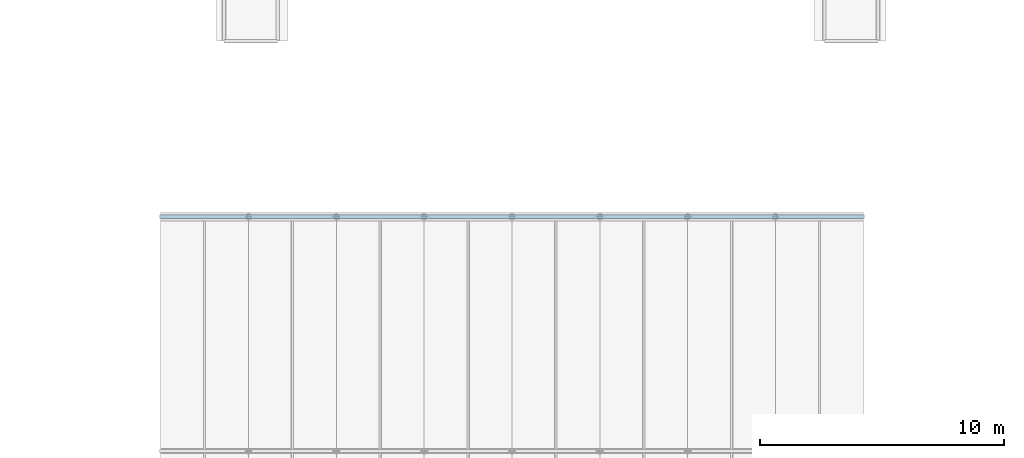
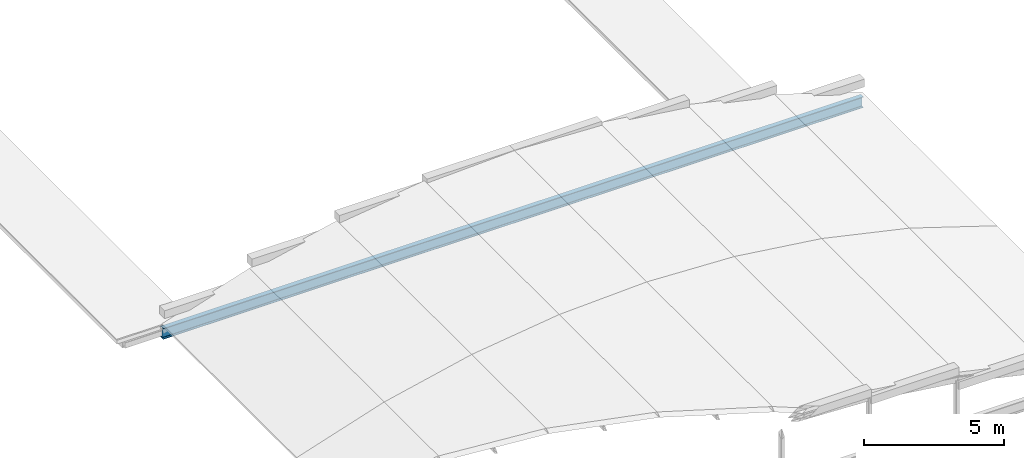
# One storey, part 14 of 70: 1 beam.
"""IFC4 building model written with IfcOpenShell, lengths in metres."""

from ifc_helpers import new_model, si_unit, direction, frame, origin, origin_2d, place, context, subcontext, project, spatial, i_section, extrude, material, material_profile, profile_set, type_object, element, save


model = new_model("IFC4")

# Units and contexts
model_context = context("Model", 3, precision=1e-05, world=origin(), true_north=direction((0.0, 1.0)))
body_context = subcontext(model_context, "Body", "Model", "MODEL_VIEW")
ifc_project = project(units=[si_unit("LENGTHUNIT", "METRE"), si_unit("AREAUNIT", "SQUARE_METRE"), si_unit("VOLUMEUNIT", "CUBIC_METRE"), si_unit("PLANEANGLEUNIT", "RADIAN"), si_unit("MASSUNIT", "GRAM", prefix="KILO")], contexts=[model_context])

# Site, building, storey
site_placement = place(None, origin())
site = spatial("IfcSite", under=ifc_project, at=site_placement, CompositionType="ELEMENT")
building_placement = place(site_placement, origin())
building = spatial("IfcBuilding", under=site, at=building_placement, Name="Mavantir Sound Aquarium", CompositionType="ELEMENT")
storey_placement = place(building_placement, frame((0.0, 0.0, 27.0)))
storey = spatial("IfcBuildingStorey", under=building, at=storey_placement, Name="RF", CompositionType="ELEMENT", Elevation=27.0)

# Beam
ifc_material = material(Name="Structural Steel ASTM A992 Gr50", Category="steel")
ifc_material_profile = material_profile(ifc_material, i_section(OverallWidth=0.194091796875, OverallDepth=0.468994140625, WebThickness=0.0126953125, FlangeThickness=0.0205078125, FilletRadius=0.01611328125, at=origin_2d()), Name="W460X106")
ifc_profile_set = profile_set([ifc_material_profile], Name="Structural Steel ASTM A992 Gr50")
beam_type = type_object("IfcBeamType", Name="BM-W460X106-E", PredefinedType="BEAM", material=ifc_profile_set)
beam_placement = place(storey_placement, frame((67.199951171875, 33.60009765625, -16.72998046875), z_axis=(1.0, 0.0, 0.0), x_axis=(0.0, 1.0, 0.0)))
element("IfcBeam", 1, at=beam_placement, inside=storey, type_object=beam_type, Name="V7 entry vault tie girder 81", PredefinedType="BEAM", context=body_context, shape_type="SweptSolid", body=[
    extrude(i_section(OverallWidth=0.194091796875, OverallDepth=0.468994140625, WebThickness=0.0126953125, FlangeThickness=0.0205078125, FilletRadius=0.01611328125, at=origin_2d()), origin(), (0.0, 0.0, 1.0), 28.800048828125),
])

save(model, "model.ifc")
